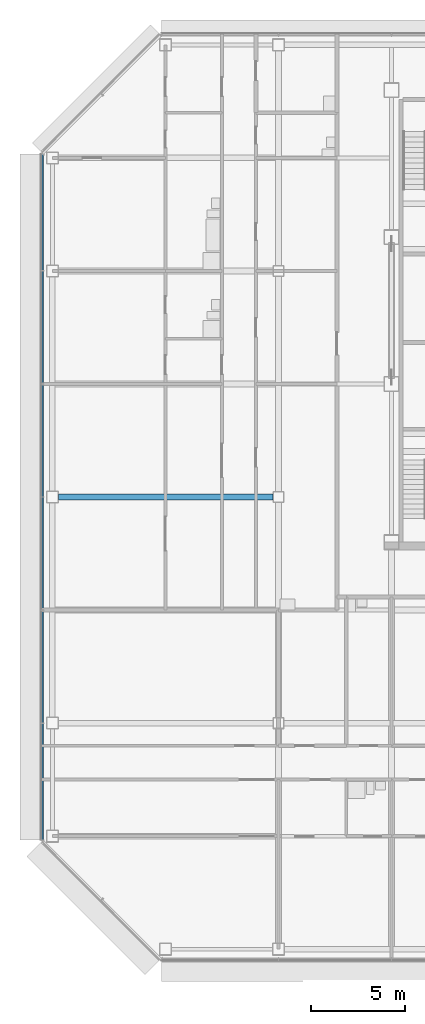
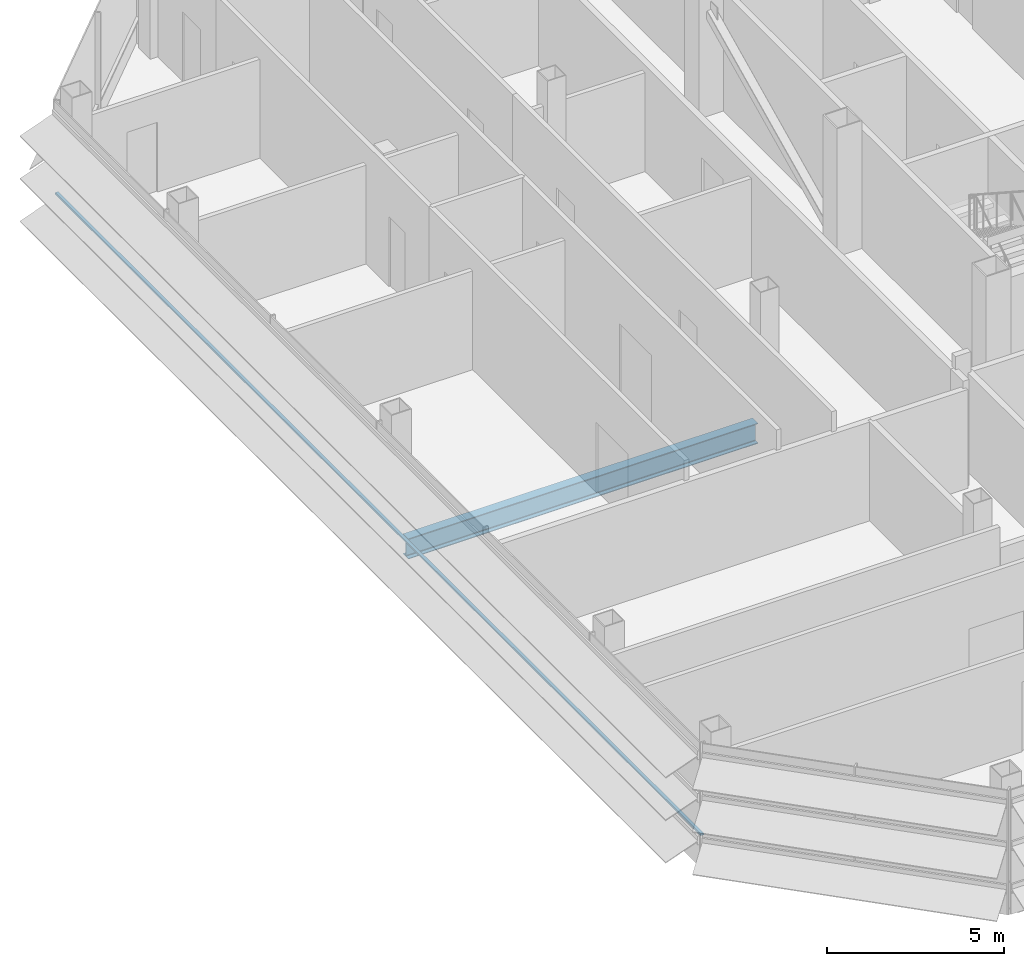
# One storey, part 5 of 30: 1 beam, 1 member, 1 element without a shape of its own.
"""IFC4 building model written with IfcOpenShell, lengths in metres."""

import ifcopenshell
import ifcopenshell.guid

model = None  # the IFC model being written
_history = None  # IfcOwnerHistory: only IFC2X3 demands one
_inside = {}  # id of a spatial element -> (the spatial element, [elements in it])
_under = {}  # id of a project, library or spatial element -> (it, [spatial elements below it])
_declared = {}  # id of a project -> (the project, [libraries it declares])
_typed = {}  # id of a type object -> (the type object, [elements of that type])
_made_of = {}  # id of a material, layer set ... -> (it, [elements and type objects made of it])


def new_model(schema):
    """Start an empty IFC model of exactly this schema.

    Asked for "IFC4X3", IfcOpenShell would pick the latest addendum, in which some entities
    have other attributes; the version numbers below select the first issue.
    IFC2X3 requires an IfcOwnerHistory on every rooted entity: one is made here for all.
    """
    global model, _history
    if schema == "IFC4X3":
        model = ifcopenshell.file(schema_version=(4, 3, 0, 0))
    else:
        model = ifcopenshell.file(schema=schema)
    _inside.clear()
    _under.clear()
    _declared.clear()
    _typed.clear()
    _made_of.clear()
    _history = None
    if model.schema == "IFC2X3":
        org = make("IfcOrganization", Name="unknown")
        user = make(
            "IfcPersonAndOrganization",
            ThePerson=make("IfcPerson", FamilyName="unknown"),
            TheOrganization=org,
        )
        app = make(
            "IfcApplication",
            ApplicationDeveloper=org,
            Version="unknown",
            ApplicationFullName="unknown",
            ApplicationIdentifier="unknown",
        )
        _history = make(
            "IfcOwnerHistory",
            OwningUser=user,
            OwningApplication=app,
            ChangeAction="ADDED",
            CreationDate=0,
        )
    return model


def make(cls, **values):
    """One entity of the class cls with the attributes given. An attribute that is None is left unset."""
    return model.create_entity(
        cls, **{name: value for name, value in values.items() if value is not None}
    )


def rooted(cls, **values):
    """An entity with a GlobalId (a new one), such as an element, a storey or a relation."""
    return make(cls, GlobalId=ifcopenshell.guid.new(), OwnerHistory=_history, **values)


def si_unit(unit_type, name, prefix=None):
    """IfcSIUnit, for example si_unit("LENGTHUNIT", "METRE", prefix="MILLI")."""
    return make("IfcSIUnit", UnitType=unit_type, Prefix=prefix, Name=name)


def assignment(units):
    """IfcUnitAssignment: the units of a project."""
    return None if units is None else make("IfcUnitAssignment", Units=units)


def point(xyz):
    """IfcCartesianPoint."""
    return None if xyz is None else make("IfcCartesianPoint", Coordinates=xyz)


def direction(xyz):
    """IfcDirection."""
    return None if xyz is None else make("IfcDirection", DirectionRatios=xyz)


def frame(location, z_axis=None, x_axis=None):
    """IfcAxis2Placement3D, a coordinate frame: its origin and axes. An axis left out is left unset."""
    return make(
        "IfcAxis2Placement3D",
        Location=point(location),
        Axis=direction(z_axis),
        RefDirection=direction(x_axis),
    )


def frame_2d(location, x_axis=None):
    """IfcAxis2Placement2D, a coordinate frame in the plane: its origin and x axis."""
    return make(
        "IfcAxis2Placement2D", Location=point(location), RefDirection=direction(x_axis)
    )


def origin():
    """The frame at (0, 0, 0) with its axes left unset."""
    return frame((0.0, 0.0, 0.0))


def origin_2d():
    """The frame at (0, 0) in the plane with its x axis left unset."""
    return frame_2d((0.0, 0.0))


def place(relative_to, where):
    """IfcLocalPlacement: puts the frame where relative to a parent placement (None: the world)."""
    return make(
        "IfcLocalPlacement", PlacementRelTo=relative_to, RelativePlacement=where
    )


def context(
    kind, dimensions, precision=None, world=None, true_north=None, identifier=None
):
    """IfcGeometricRepresentationContext, for example the 3D "Model" context."""
    return make(
        "IfcGeometricRepresentationContext",
        ContextIdentifier=identifier,
        ContextType=kind,
        CoordinateSpaceDimension=dimensions,
        Precision=precision,
        WorldCoordinateSystem=world,
        TrueNorth=true_north,
    )


def subcontext(parent, identifier, kind, view, scale=None):
    """IfcGeometricRepresentationSubContext, for example "Body" below "Model"."""
    return make(
        "IfcGeometricRepresentationSubContext",
        ContextIdentifier=identifier,
        ContextType=kind,
        ParentContext=parent,
        TargetScale=scale,
        TargetView=view,
    )


def project(units=None, contexts=None):
    """IfcProject with its units and contexts."""
    return rooted(
        "IfcProject",
        Name="project",
        RepresentationContexts=contexts,
        UnitsInContext=assignment(units),
    )


def spatial(cls, under=None, at=None, **own):
    """A site, building, storey or space (cls), placed at a placement, below another one or the project."""
    s = rooted(cls, ObjectPlacement=at, **own)
    if under is not None:
        _under.setdefault(under.id(), (under, []))[1].append(s)
    return s


def profile(cls, at=None, kind="AREA", **sizes):
    """A parametric profile (cls). Its sizes go by their IFC names, for example OverallWidth=200.0."""
    return make(cls, ProfileType=kind, Position=at, **sizes)


def rectangle(**sizes):
    """IfcRectangleProfileDef."""
    return profile("IfcRectangleProfileDef", **sizes)


def i_section(**sizes):
    """IfcIShapeProfileDef."""
    return profile("IfcIShapeProfileDef", **sizes)


def extrude(swept, where, along, depth):
    """IfcExtrudedAreaSolid: the profile swept, set in the frame where, extruded along a direction by depth."""
    return make(
        "IfcExtrudedAreaSolid",
        SweptArea=swept,
        Position=where,
        ExtrudedDirection=direction(along),
        Depth=depth,
    )


def shape(context_of_items, identifier, shape_type, items):
    """IfcShapeRepresentation: the items that make up one representation, for example the "Body"."""
    return make(
        "IfcShapeRepresentation",
        ContextOfItems=context_of_items,
        RepresentationIdentifier=identifier,
        RepresentationType=shape_type,
        Items=items,
    )


def material(Name=None, Category=None):
    """IfcMaterial."""
    return make("IfcMaterial", Name=Name, Category=Category)


def material_profile(
    of_material, cross_section, Name=None, Category=None, Priority=None
):
    """IfcMaterialProfile: a cross section and its material."""
    return make(
        "IfcMaterialProfile",
        Name=Name,
        Material=of_material,
        Profile=cross_section,
        Priority=Priority,
        Category=Category,
    )


def profile_set(profiles, Name=None, composite=None):
    """IfcMaterialProfileSet."""
    return make(
        "IfcMaterialProfileSet",
        Name=Name,
        MaterialProfiles=profiles,
        CompositeProfile=composite,
    )


def made_of(thing, what):
    """Note that an element or type object is made of a material, layer set ...; save() writes the relation."""
    if what is not None:
        _made_of.setdefault(what.id(), (what, []))[1].append(thing)
    return thing


def type_object(cls, material=None, **own):
    """A type object (cls), such as IfcWallType, which elements share."""
    return made_of(rooted(cls, **own), material)


def element(
    cls,
    number,
    at=None,
    inside=None,
    cuts=None,
    type_object=None,
    material=None,
    context=None,
    identifier="Body",
    shape_type=None,
    held_by="IfcProductDefinitionShape",
    body=None,
    shapes=None,
    **own,
):
    """One element of the class cls, such as IfcWall. Its Tag is "e" and its number.

    at: its placement. inside: the storey or other place that contains it. cuts: it is an
    opening in that element (IfcRelVoidsElement). A single representation is given by context,
    identifier, shape_type and body (its items); several are given by shapes. held_by: the class
    of the entity that holds the representations. save() writes the other relations.
    """
    e = rooted(cls, Tag="e%d" % number, ObjectPlacement=at, **own)
    if body is not None:
        shapes = [shape(context, identifier, shape_type, body)]
    if shapes is not None:
        e.Representation = make(held_by, Representations=shapes)
    if inside is not None:
        _inside.setdefault(inside.id(), (inside, []))[1].append(e)
    if cuts is not None:
        rooted(
            "IfcRelVoidsElement", RelatingBuildingElement=cuts, RelatedOpeningElement=e
        )
    if type_object is not None:
        _typed.setdefault(type_object.id(), (type_object, []))[1].append(e)
    return made_of(e, material)


def aggregate(whole, parts):
    """IfcRelAggregates: a whole, such as a stair, and the parts it consists of."""
    return rooted("IfcRelAggregates", RelatingObject=whole, RelatedObjects=parts)


def save(model, path):
    """Write the relations noted so far, then the file.

    IfcRelAggregates (storeys below a building ...), IfcRelContainedInSpatialStructure (elements
    in a storey), IfcRelDefinesByType, IfcRelAssociatesMaterial and IfcRelDeclares: one each for
    every whole, place, type object, material and project.
    """
    for whole, parts in _under.values():
        aggregate(whole, parts)
    for where, things in _inside.values():
        rooted(
            "IfcRelContainedInSpatialStructure",
            RelatedElements=things,
            RelatingStructure=where,
        )
    for kind, things in _typed.values():
        rooted("IfcRelDefinesByType", RelatedObjects=things, RelatingType=kind)
    for what, things in _made_of.values():
        rooted("IfcRelAssociatesMaterial", RelatedObjects=things, RelatingMaterial=what)
    for by, libraries in _declared.values():
        rooted("IfcRelDeclares", RelatingContext=by, RelatedDefinitions=libraries)
    model.write(path)


model = new_model("IFC4")

# Units and contexts
model_context = context("Model", 3, precision=1e-05, world=origin(), true_north=direction((0.0, 1.0)))
body_context = subcontext(model_context, "Body", "Model", "MODEL_VIEW")
ifc_project = project(units=[si_unit("LENGTHUNIT", "METRE"), si_unit("AREAUNIT", "SQUARE_METRE"), si_unit("VOLUMEUNIT", "CUBIC_METRE"), si_unit("PLANEANGLEUNIT", "RADIAN"), si_unit("MASSUNIT", "GRAM", prefix="KILO")], contexts=[model_context])

# Site, building, storey
site_placement = place(None, origin())
site = spatial("IfcSite", under=ifc_project, at=site_placement, CompositionType="ELEMENT")
building_placement = place(site_placement, origin())
building = spatial("IfcBuilding", under=site, at=building_placement, Name="Sorahane Residences", CompositionType="ELEMENT")
storey_placement = place(building_placement, frame((0.0, 0.0, 229.800048828125)))
storey = spatial("IfcBuildingStorey", under=building, at=storey_placement, Name="L54", CompositionType="ELEMENT", Elevation=229.800048828125)

# Curtain wall, member
ifc_material_1 = material(Name="Dark low-e glass and black anodised aluminium", Category="aluminium")
curtain_wall_type = type_object("IfcCurtainWallType", Name="Curtain wall CW-1 Typical unitised wall", PredefinedType="NOTDEFINED", material=ifc_material_1)
curtain_wall_placement = place(storey_placement, origin())
curtain_wall = element("IfcCurtainWall", 1, at=curtain_wall_placement, inside=storey, type_object=curtain_wall_type, Name="CW-1 curtain wall L54 W1", PredefinedType="NOTDEFINED")
ifc_material_2 = material(Name="Black anodised aluminium", Category="aluminium")
ifc_material_profile_1 = material_profile(ifc_material_2, rectangle(XDim=0.10009765625, YDim=0.06005859375, at=origin_2d()), Name="Curtain wall transom CW-1 black anodised aluminium 60x100")
ifc_profile_set_1 = profile_set([ifc_material_profile_1], Name="Black anodised aluminium")
member_type = type_object("IfcMemberType", Name="Curtain wall transom CW-1 black anodised aluminium 60x100", PredefinedType="USERDEFINED", material=ifc_profile_set_1)
member_placement = place(storey_placement, frame((-12.530029296875, 42.198486328125, 0.89990234375), z_axis=(0.0, -1.0, 0.0), x_axis=(1.0, 0.0, 0.0)))
member = element("IfcMember", 2, at=member_placement, type_object=member_type, Name="CW-1 transom L54 W1", ObjectType="TRANSOM", PredefinedType="USERDEFINED", context=body_context, shape_type="SweptSolid", body=[
    extrude(rectangle(XDim=0.10009765625, YDim=0.06005859375, at=origin_2d()), origin(), (0.0, 0.0, 1.0), 36.39697265625),
])
aggregate(curtain_wall, [member])

# Beam
ifc_material_3 = material(Name="Steel Q355B", Category="steel")
ifc_material_profile_2 = material_profile(ifc_material_3, i_section(OverallWidth=0.300048828125, OverallDepth=0.699951171875, WebThickness=0.012939453125, FlangeThickness=0.02392578125, FilletRadius=0.028076171875, at=origin_2d()), Name="HN 700x300x13x24")
ifc_profile_set_2 = profile_set([ifc_material_profile_2], Name="Steel Q355B")
beam_type = type_object("IfcBeamType", Name="Steel floor beam HN 700x300x13x24 Q355B", PredefinedType="BEAM", material=ifc_profile_set_2)
beam_placement = place(storey_placement, frame((-11.675048828125, 24.0, -0.530029296875), z_axis=(1.0, 0.0, 0.0), x_axis=(0.0, 1.0, 0.0)))
element("IfcBeam", 3, at=beam_placement, inside=storey, type_object=beam_type, Name="Beam L54 011", PredefinedType="BEAM", context=body_context, shape_type="SweptSolid", body=[
    extrude(i_section(OverallWidth=0.300048828125, OverallDepth=0.699951171875, WebThickness=0.012939453125, FlangeThickness=0.02392578125, FilletRadius=0.028076171875, at=origin_2d()), origin(), (0.0, 0.0, 1.0), 11.375),
])

save(model, "model.ifc")
